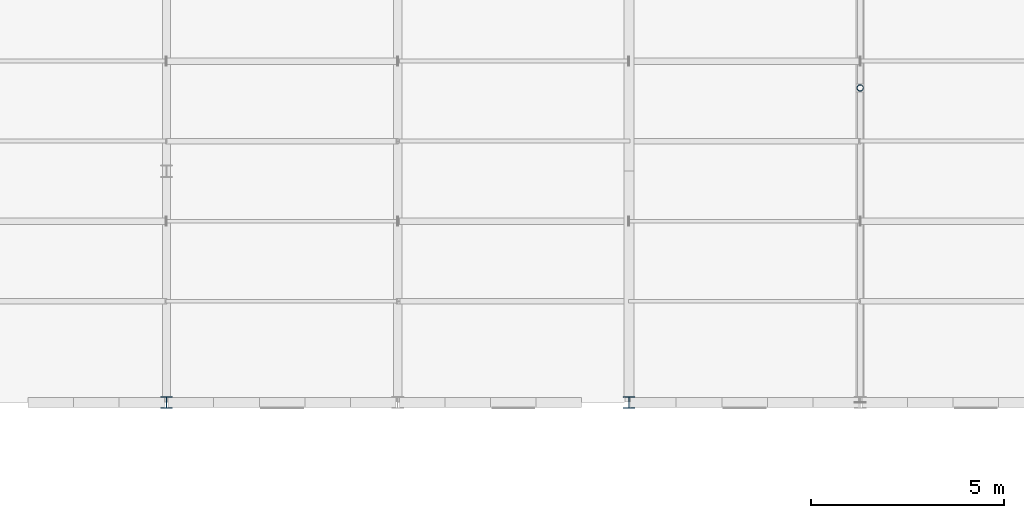
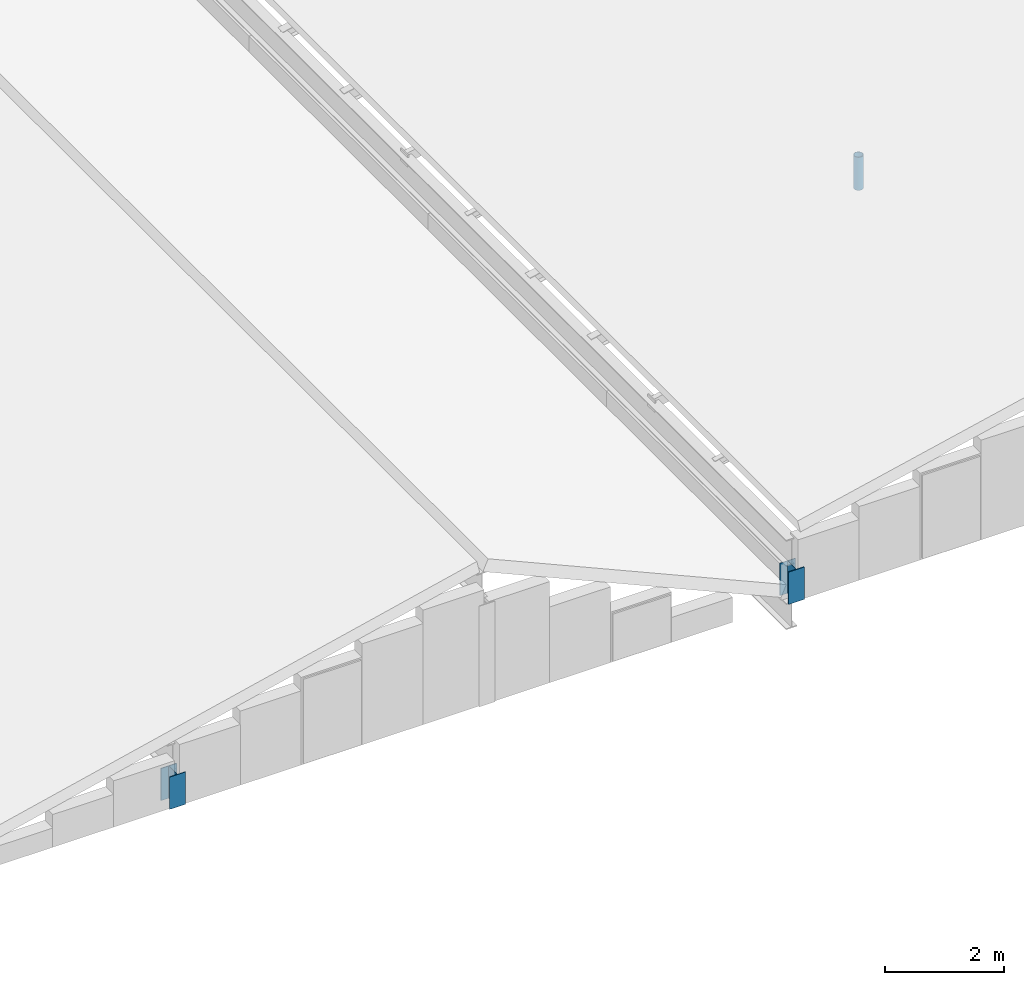
# One storey, part 22 of 74: 3 members.
"""IFC4 building model written with IfcOpenShell, lengths in metres."""

from ifc_helpers import new_model, si_unit, direction, frame, origin, origin_2d, place, context, subcontext, project, spatial, hollow_circle, i_section, extrude, material, material_profile, profile_set, type_object, element, save


model = new_model("IFC4")

# Units and contexts
model_context = context("Model", 3, precision=1e-05, world=origin(), true_north=direction((0.0, 1.0)))
body_context = subcontext(model_context, "Body", "Model", "MODEL_VIEW")
ifc_project = project(units=[si_unit("LENGTHUNIT", "METRE"), si_unit("AREAUNIT", "SQUARE_METRE"), si_unit("VOLUMEUNIT", "CUBIC_METRE"), si_unit("PLANEANGLEUNIT", "RADIAN"), si_unit("MASSUNIT", "GRAM", prefix="KILO")], contexts=[model_context])

# Site, building, storey
site_placement = place(None, origin())
site = spatial("IfcSite", under=ifc_project, at=site_placement, CompositionType="ELEMENT")
building_placement = place(site_placement, origin())
building = spatial("IfcBuilding", under=site, at=building_placement, Name="Siltcreek Boulevard Central Fire Station", CompositionType="ELEMENT")
storey_placement = place(building_placement, frame((0.0, 0.0, 25.199951171875)))
storey = spatial("IfcBuildingStorey", under=building, at=storey_placement, Name="RF", CompositionType="ELEMENT", Elevation=25.199951171875)

# Members
ifc_material_1 = material(Name="Structural steel ASTM A500 GrC", Category="steel")
ifc_material_profile_1 = material_profile(ifc_material_1, hollow_circle(Radius=0.084228515625, WallThickness=0.007080078125, at=origin_2d()), Name="HSS168.3X7.1")
ifc_profile_set_1 = profile_set([ifc_material_profile_1], Name="Structural steel ASTM A500 GrC")
member_type_1 = type_object("IfcMemberType", Name="BR_CHS168", PredefinedType="BRACE", material=ifc_profile_set_1)
member_1_placement = place(storey_placement, frame((25.800048828125, 26.159912109375, -13.8515625), z_axis=(0.0, 0.0, 1.0), x_axis=(1.0, 0.0, 0.0)))
element("IfcMember", 1, at=member_1_placement, inside=storey, type_object=member_type_1, Name="Roof truss web strut BR-050", PredefinedType="BRACE", context=body_context, shape_type="SweptSolid", body=[
    extrude(hollow_circle(Radius=0.084228515625, WallThickness=0.007080078125, at=origin_2d()), origin(), (0.0, 0.0, 1.0), 0.68017578125),
])
ifc_material_2 = material(Name="Structural steel ASTM A992 Gr50", Category="steel")
ifc_material_profile_2 = material_profile(ifc_material_2, i_section(OverallWidth=0.304931640625, OverallDepth=0.30810546875, WebThickness=0.010009765625, FlangeThickness=0.015380859375, at=origin_2d()), Name="W310X97")
ifc_profile_set_2 = profile_set([ifc_material_profile_2], Name="Structural steel ASTM A992 Gr50")
member_type_2 = type_object("IfcMemberType", Name="CH_W310X97", PredefinedType="CHORD", material=ifc_profile_set_2)
member_2_placement = place(storey_placement, frame((7.800048828125, 18.0, -15.199951171875), z_axis=(0.0, 0.0, 1.0), x_axis=(1.0, 0.0, 0.0)))
element("IfcMember", 2, at=member_2_placement, inside=storey, type_object=member_type_2, Name="Roof bearing truss post 0659", PredefinedType="CHORD", context=body_context, shape_type="SweptSolid", body=[
    extrude(i_section(OverallWidth=0.304931640625, OverallDepth=0.30810546875, WebThickness=0.010009765625, FlangeThickness=0.015380859375, at=origin_2d()), origin(), (0.0, 0.0, 1.0), 0.660888671875),
])
member_3_placement = place(storey_placement, frame((19.800048828125, 18.0, -15.199951171875), z_axis=(0.0, 0.0, 1.0), x_axis=(1.0, 0.0, 0.0)))
element("IfcMember", 3, at=member_3_placement, inside=storey, type_object=member_type_2, Name="Roof bearing truss post 0670", PredefinedType="CHORD", context=body_context, shape_type="SweptSolid", body=[
    extrude(i_section(OverallWidth=0.304931640625, OverallDepth=0.30810546875, WebThickness=0.010009765625, FlangeThickness=0.015380859375, at=origin_2d()), origin(), (0.0, 0.0, 1.0), 0.66259765625),
])

save(model, "model.ifc")
